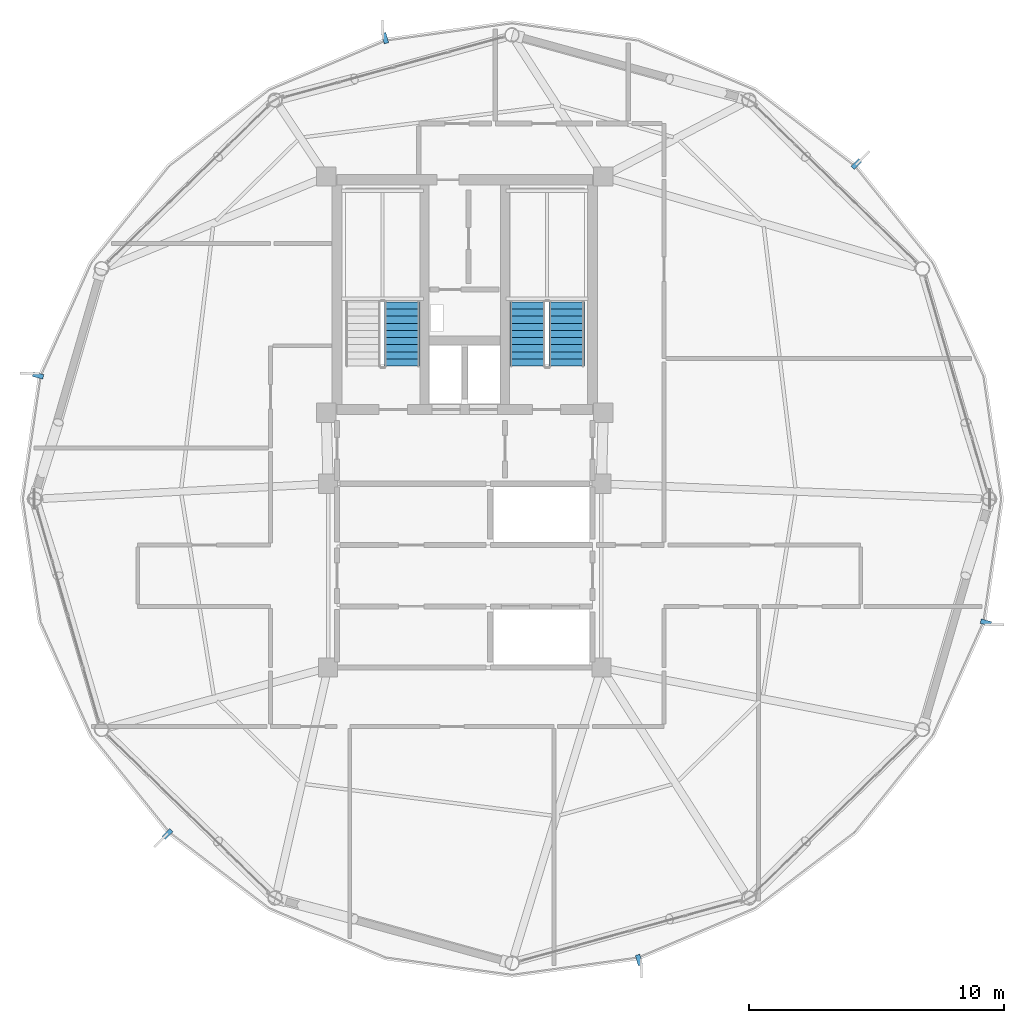
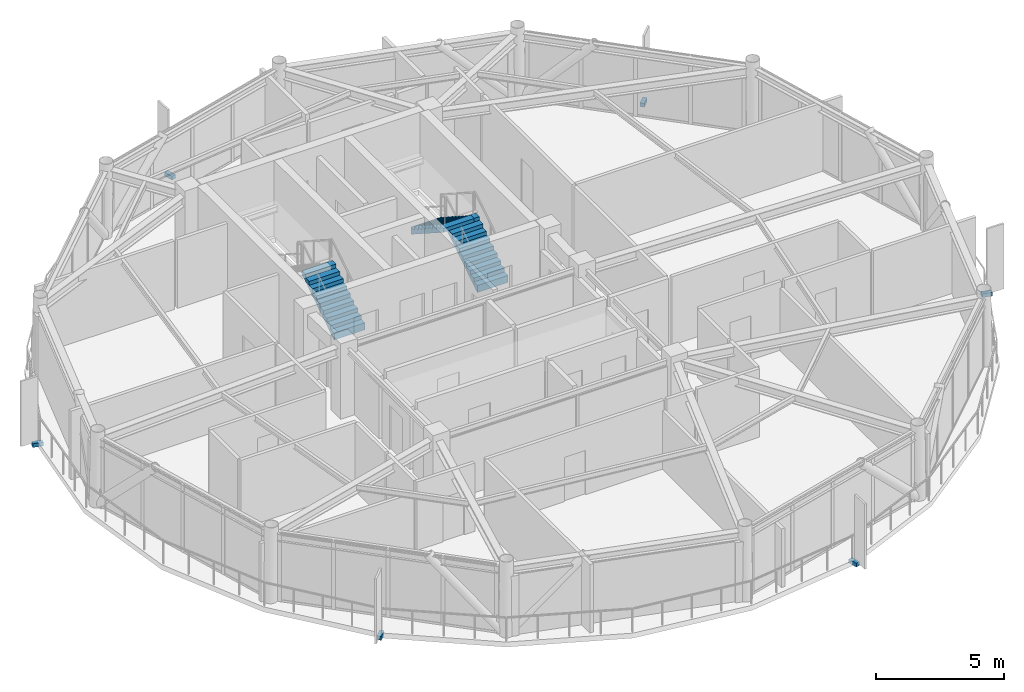
# One storey, part 25 of 28: 6 discrete accessories, 3 stair flights, 2 elements without a shape of their own.
"""IFC4 building model written with IfcOpenShell, lengths in metres."""

from ifc_helpers import new_model, si_unit, direction, frame, origin, origin_2d, place, context, subcontext, project, spatial, polyline, rectangle, outline, extrude, source, transform, mapped, material, type_object, type_shapes, element, aggregate, save


model = new_model("IFC4")

# Units and contexts
model_context = context("Model", 3, precision=1e-05, world=origin(), true_north=direction((0.0, 1.0)))
body_context = subcontext(model_context, "Body", "Model", "MODEL_VIEW")
ifc_project = project(units=[si_unit("LENGTHUNIT", "METRE"), si_unit("AREAUNIT", "SQUARE_METRE"), si_unit("VOLUMEUNIT", "CUBIC_METRE"), si_unit("PLANEANGLEUNIT", "RADIAN"), si_unit("MASSUNIT", "GRAM", prefix="KILO")], contexts=[model_context])

# Site, building, storey
site_placement = place(None, origin())
site = spatial("IfcSite", under=ifc_project, at=site_placement, CompositionType="ELEMENT")
building_placement = place(site_placement, origin())
building = spatial("IfcBuilding", under=site, at=building_placement, Name="Varnakorn Sky Granary", CompositionType="ELEMENT")
storey_placement = place(building_placement, frame((0.0, 0.0, 236.39990234375)))
storey = spatial("IfcBuildingStorey", under=building, at=storey_placement, Name="L60", CompositionType="ELEMENT", Elevation=236.39990234375)

# Stair, stair flight
ifc_material_1 = material(Name="Concrete C40/50", Category="concrete")
stair_type = type_object("IfcStairType", Name="ST-MAIN-ASSEMBLY", PredefinedType="HALF_TURN_STAIR", material=ifc_material_1)
stair_1_placement = place(storey_placement, origin())
stair_1 = element("IfcStair", 1, at=stair_1_placement, inside=storey, type_object=stair_type, Name="L60 Protected Exit Stair ST-1", PredefinedType="HALF_TURN_STAIR")
stair_flight_type = type_object("IfcStairFlightType", Name="ST-MAIN-FLIGHT", PredefinedType="STRAIGHT", material=ifc_material_1)
stair_flight_1_placement = place(storey_placement, frame((0.550048828125, 5.199951171875, 0.0), z_axis=(0.0, 0.0, 1.0), x_axis=(0.0, 1.0, 0.0)))
stair_flight_1 = element("IfcStairFlight", 2, at=stair_flight_1_placement, type_object=stair_flight_type, Name="ST-1 flight 1", NumberOfRisers=10, NumberOfTreads=9, PredefinedType="STRAIGHT", RiserHeight=0.18, TreadLength=0.28, context=body_context, shape_type="SweptSolid", body=[
    extrude(outline(polyline([(0.0, -0.14990234375), (0.0, 0.0), (0.0, 0.179931640625), (0.280029296875, 0.179931640625), (0.280029296875, 0.360107421875), (0.56005859375, 0.360107421875), (0.56005859375, 0.5400390625), (0.840087890625, 0.5400390625), (0.840087890625, 0.719970703125), (1.1201171875, 0.719970703125), (1.1201171875, 0.89990234375), (1.39990234375, 0.89990234375), (1.39990234375, 1.080078125), (1.679931640625, 1.080078125), (1.679931640625, 1.260009765625), (1.9599609375, 1.260009765625), (1.9599609375, 1.43994140625), (2.239990234375, 1.43994140625), (2.239990234375, 1.6201171875), (2.52001953125, 1.6201171875), (2.52001953125, 1.800048828125), (2.52001953125, 1.44189453125), (0.050048828125, -0.14990234375), (0.0, -0.14990234375)])), frame((0.0, 0.68994140625, 0.0), z_axis=(0.0, -1.0, 0.0), x_axis=(1.0, 0.0, 0.0)), (0.0, 0.0, 1.0), 1.3798828125),
])
aggregate(stair_1, [stair_flight_1])

# Stair, stair flights
stair_2_placement = place(storey_placement, origin())
stair_2 = element("IfcStair", 3, at=stair_2_placement, inside=storey, type_object=stair_type, Name="L60 Protected Exit Stair ST-2", PredefinedType="HALF_TURN_STAIR")
stair_flight_2_placement = place(storey_placement, frame((6.989990234375, 5.199951171875, 0.0), z_axis=(0.0, 0.0, 1.0), x_axis=(0.0, 1.0, 0.0)))
stair_flight_2 = element("IfcStairFlight", 4, at=stair_flight_2_placement, type_object=stair_flight_type, Name="ST-2 flight 1", NumberOfRisers=10, NumberOfTreads=9, PredefinedType="STRAIGHT", RiserHeight=0.18, TreadLength=0.28, context=body_context, shape_type="SweptSolid", body=[
    extrude(outline(polyline([(0.0, -0.14990234375), (0.0, 0.0), (0.0, 0.179931640625), (0.280029296875, 0.179931640625), (0.280029296875, 0.360107421875), (0.56005859375, 0.360107421875), (0.56005859375, 0.5400390625), (0.840087890625, 0.5400390625), (0.840087890625, 0.719970703125), (1.1201171875, 0.719970703125), (1.1201171875, 0.89990234375), (1.39990234375, 0.89990234375), (1.39990234375, 1.080078125), (1.679931640625, 1.080078125), (1.679931640625, 1.260009765625), (1.9599609375, 1.260009765625), (1.9599609375, 1.43994140625), (2.239990234375, 1.43994140625), (2.239990234375, 1.6201171875), (2.52001953125, 1.6201171875), (2.52001953125, 1.800048828125), (2.52001953125, 1.44189453125), (0.050048828125, -0.14990234375), (0.0, -0.14990234375)])), frame((0.0, 0.68994140625, 0.0), z_axis=(0.0, -1.0, 0.0), x_axis=(1.0, 0.0, 0.0)), (0.0, 0.0, 1.0), 1.3798828125),
])
stair_flight_3_placement = place(storey_placement, frame((5.4599609375, 7.719970703125, 1.800048828125), z_axis=(0.0, 0.0, 1.0), x_axis=(0.0, -1.0, 0.0)))
stair_flight_3 = element("IfcStairFlight", 5, at=stair_flight_3_placement, type_object=stair_flight_type, Name="ST-2 flight 2", NumberOfRisers=10, NumberOfTreads=9, PredefinedType="STRAIGHT", RiserHeight=0.18, TreadLength=0.28, context=body_context, shape_type="SweptSolid", body=[
    extrude(outline(polyline([(0.0, -0.14990234375), (0.0, 0.0), (0.0, 0.179931640625), (0.280029296875, 0.179931640625), (0.280029296875, 0.360107421875), (0.56005859375, 0.360107421875), (0.56005859375, 0.5400390625), (0.840087890625, 0.5400390625), (0.840087890625, 0.719970703125), (1.1201171875, 0.719970703125), (1.1201171875, 0.89990234375), (1.39990234375, 0.89990234375), (1.39990234375, 1.080078125), (1.679931640625, 1.080078125), (1.679931640625, 1.260009765625), (1.9599609375, 1.260009765625), (1.9599609375, 1.43994140625), (2.239990234375, 1.43994140625), (2.239990234375, 1.6201171875), (2.52001953125, 1.6201171875), (2.52001953125, 1.800048828125), (2.52001953125, 1.44189453125), (0.050048828125, -0.14990234375), (0.0, -0.14990234375)])), frame((0.0, 0.68994140625, 0.0), z_axis=(0.0, -1.0, 0.0), x_axis=(1.0, 0.0, 0.0)), (0.0, 0.0, 1.0), 1.3798828125),
])
aggregate(stair_2, [stair_flight_2, stair_flight_3])

# Discrete accessories
ifc_material_2 = material(Name="Steel S355JR", Category="steel")
discrete_accessory_type = type_object("IfcDiscreteAccessoryType", Name="AC-BRK-01", PredefinedType="BRACKET", material=ifc_material_2)
shared_shape = source(origin(), body_context, "Body", "SweptSolid", [
    extrude(rectangle(XDim=0.179931640625, YDim=0.419921875, at=origin_2d()), origin(), (0.0, 0.0, 1.0), 0.179931640625),
])
type_shapes(discrete_accessory_type, [shared_shape])
for number, where, z_axis, x_axis, name in (
    (6, (18.334228515625, 13.111328125, -0.19970703125), (0.0, 0.0, 1.0), (-0.697121718522, 0.716952794516, 0.0), "Facade Solar-Screen Outrigger Bracket L60-02"),
    (7, (-0.120849609375, 18.042236328125, -0.19970703125), (0.0, 0.0, 1.0), (-0.964078994401, -0.265615685823, 0.0), "Facade Solar-Screen Outrigger Bracket L60-04"),
    (8, (-13.698974609375, 4.833740234375, -0.19970703125), (0.0, 0.0, 1.0), (-0.252168430465, -0.967683358686, 0.0), "Facade Solar-Screen Outrigger Bracket L60-06"),
    (9, (-8.63427734375, -13.111328125, -0.19970703125), (0.0, 0.0, 1.0), (0.697121718522, -0.716952794516, 0.0), "Facade Solar-Screen Outrigger Bracket L60-08"),
    (10, (9.82080078125, -18.042236328125, -0.19970703125), (0.0, 0.0, 1.0), (0.964078994401, 0.265615685823, 0.0), "Facade Solar-Screen Outrigger Bracket L60-10"),
    (11, (23.39892578125, -4.833740234375, -0.19970703125), (0.0, 0.0, 1.0), (0.252168430465, 0.967683358686, 0.0), "Facade Solar-Screen Outrigger Bracket L60-12"),
):
    element("IfcDiscreteAccessory", number, at=place(storey_placement, frame(where, z_axis=z_axis, x_axis=x_axis)), inside=storey, type_object=discrete_accessory_type, Name=name, PredefinedType="BRACKET", context=body_context, shape_type="MappedRepresentation", body=[
        mapped(shared_shape, transform((0.0, 0.0, 0.0), x_axis=(1.0, 0.0, 0.0), y_axis=(0.0, 1.0, 0.0), z_axis=(0.0, 0.0, 1.0), scale=1.0)),
    ])

save(model, "model.ifc")
